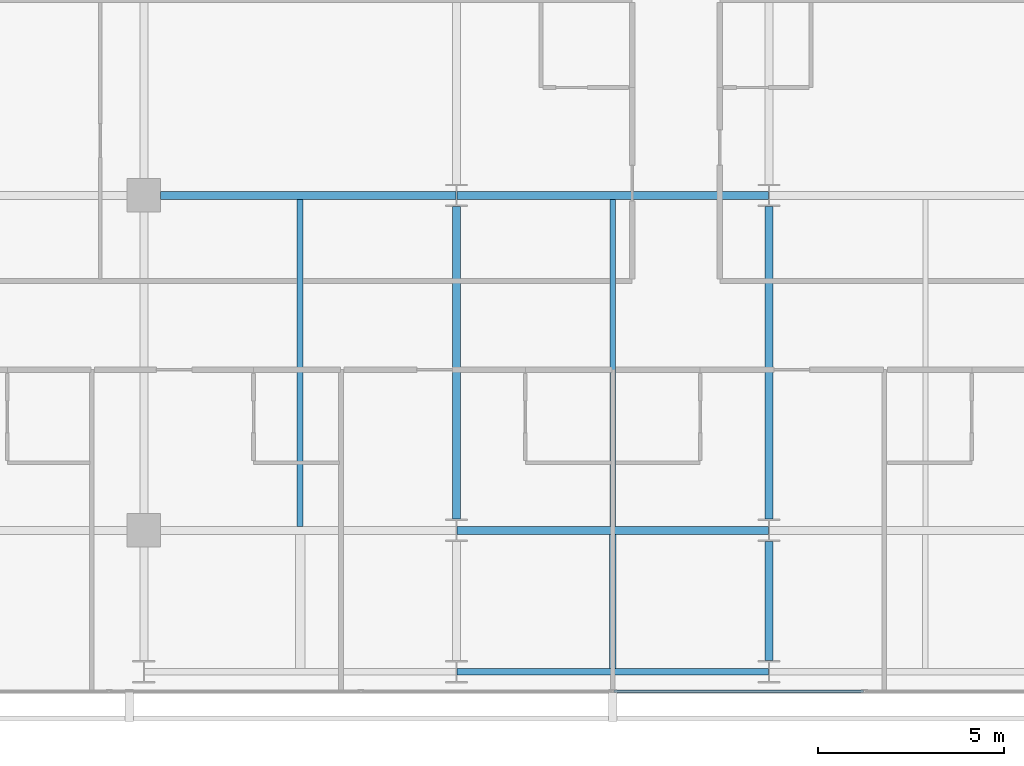
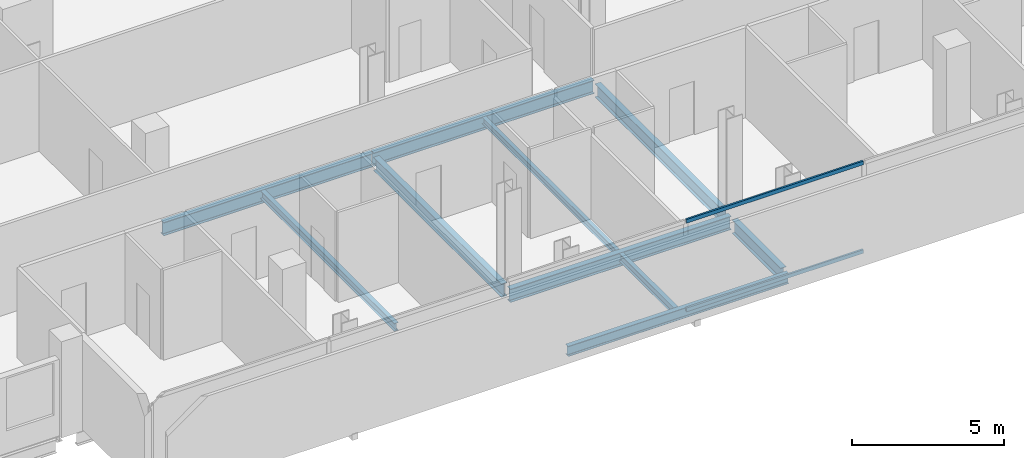
# One storey, part 7 of 33: 10 beams, 2 members, 1 element without a shape of its own.
"""IFC4 building model written with IfcOpenShell, lengths in metres."""

from ifc_helpers import new_model, si_unit, direction, frame, origin, origin_2d, place, context, subcontext, project, spatial, hollow_rectangle, i_section, extrude, material, layer, layer_set, material_profile, profile_set, type_object, element, aggregate, save


model = new_model("IFC4")

# Units and contexts
model_context = context("Model", 3, precision=1e-05, world=origin(), true_north=direction((0.0, 1.0)))
body_context = subcontext(model_context, "Body", "Model", "MODEL_VIEW")
ifc_project = project(units=[si_unit("LENGTHUNIT", "METRE"), si_unit("AREAUNIT", "SQUARE_METRE"), si_unit("VOLUMEUNIT", "CUBIC_METRE"), si_unit("PLANEANGLEUNIT", "RADIAN"), si_unit("MASSUNIT", "GRAM", prefix="KILO")], contexts=[model_context])

# Site, building, storey
site_placement = place(None, origin())
site = spatial("IfcSite", under=ifc_project, at=site_placement, CompositionType="ELEMENT")
building_placement = place(site_placement, origin())
building = spatial("IfcBuilding", under=site, at=building_placement, Name="Maruvema Waterfront Hotel and Observation Tower", CompositionType="ELEMENT")
storey_placement = place(building_placement, frame((0.0, 0.0, 196.699951171875)))
storey = spatial("IfcBuildingStorey", under=building, at=storey_placement, Name="L48", CompositionType="ELEMENT", Elevation=196.699951171875)

# Curtain wall, members
ifc_material_1 = material(Name="Anodised bronze aluminium and solar-control low-E IGU", Category="aluminium")
ifc_layer = layer(ifc_material_1, 0.159912109375, Name="Zone 2 Amber Inner Thermal Curtain Wall System CW-03")
ifc_layer_set = layer_set([ifc_layer], Name="Anodised bronze aluminium and solar-control low-E IGU")
curtain_wall_type = type_object("IfcCurtainWallType", Name="Zone 2 Amber Inner Thermal Curtain Wall System CW-03", PredefinedType="USERDEFINED", material=ifc_layer_set)
curtain_wall_placement = place(storey_placement, origin())
curtain_wall = element("IfcCurtainWall", 1, at=curtain_wall_placement, inside=storey, type_object=curtain_wall_type, Name="L48 Curtain Wall CW-L48-S", ObjectType="UNITISED CURTAIN WALL", PredefinedType="USERDEFINED")
ifc_material_2 = material(Name="Anodised architectural bronze aluminium", Category="aluminium")
ifc_material_profile_1 = material_profile(ifc_material_2, hollow_rectangle(XDim=0.070068359375, YDim=0.14990234375, WallThickness=0.00390625, at=origin_2d()), Name="ALU-T70x150")
ifc_profile_set_1 = profile_set([ifc_material_profile_1], Name="Anodised architectural bronze aluminium")
member_type = type_object("IfcMemberType", Name="Curtain Wall Horizontal Transom ALU-T70x150", PredefinedType="USERDEFINED", material=ifc_profile_set_1)
member_1_placement = place(storey_placement, frame((37.830078125, 4.679931640625, 0.030029296875), z_axis=(1.0, 0.0, 0.0), x_axis=(0.0, 1.0, 0.0)))
member_1 = element("IfcMember", 2, at=member_1_placement, type_object=member_type, Name="CW-03 transom 4.1", ObjectType="TRANSOM", PredefinedType="USERDEFINED", context=body_context, shape_type="SweptSolid", body=[
    extrude(hollow_rectangle(XDim=0.070068359375, YDim=0.14990234375, WallThickness=0.00390625, at=origin_2d()), origin(), (0.0, 0.0, 1.0), 6.70654296875),
])
member_2_placement = place(storey_placement, frame((37.830078125, 4.679931640625, 3.580078125), z_axis=(1.0, 0.0, 0.0), x_axis=(0.0, 1.0, 0.0)))
member_2 = element("IfcMember", 3, at=member_2_placement, type_object=member_type, Name="CW-03 transom 4.2", ObjectType="TRANSOM", PredefinedType="USERDEFINED", context=body_context, shape_type="SweptSolid", body=[
    extrude(hollow_rectangle(XDim=0.070068359375, YDim=0.14990234375, WallThickness=0.00390625, at=origin_2d()), origin(), (0.0, 0.0, 1.0), 6.70654296875),
])
aggregate(curtain_wall, [member_1, member_2])

# Beams
ifc_material_3 = material(Name="Steel ASTM A572 Grade 50", Category="steel")
ifc_material_profile_2 = material_profile(ifc_material_3, i_section(OverallWidth=0.178955078125, OverallDepth=0.409912109375, WebThickness=0.0087890625, FlangeThickness=0.014404296875, FilletRadius=0.014892578125, at=origin_2d()), Name="W410x67.0")
ifc_profile_set_2 = profile_set([ifc_material_profile_2], Name="Steel ASTM A572 Grade 50")
beam_type_1 = type_object("IfcBeamType", Name="Perimeter Spandrel Beam W410x67.0", PredefinedType="SPANDREL", material=ifc_profile_set_2)
beam_1_placement = place(storey_placement, frame((33.612548828125, 5.199951171875, -0.445068359375), z_axis=(1.0, 0.0, 0.0), x_axis=(0.0, 1.0, 0.0)))
element("IfcBeam", 4, at=beam_1_placement, inside=storey, type_object=beam_type_1, Name="L48 Floor Girder EW-02", PredefinedType="SPANDREL", context=body_context, shape_type="SweptSolid", body=[
    extrude(i_section(OverallWidth=0.178955078125, OverallDepth=0.409912109375, WebThickness=0.0087890625, FlangeThickness=0.014404296875, FilletRadius=0.014892578125, at=origin_2d()), origin(), (0.0, 0.0, 1.0), 8.375),
])
ifc_material_4 = material(Name="Steel ASTM A572 Grade 50", Category="steel")
ifc_material_profile_3 = material_profile(ifc_material_4, i_section(OverallWidth=0.2109375, OverallDepth=0.5390625, WebThickness=0.01171875, FlangeThickness=0.018798828125, FilletRadius=0.014892578125, at=origin_2d()), Name="W530x109.0")
ifc_profile_set_3 = profile_set([ifc_material_profile_3], Name="Steel ASTM A572 Grade 50")
beam_type_2 = type_object("IfcBeamType", Name="Primary Floor Girder W530x109.0", PredefinedType="BEAM", material=ifc_profile_set_3)
beam_2_placement = place(storey_placement, frame((33.612548828125, 9.0, -0.509521484375), z_axis=(1.0, 0.0, 0.0), x_axis=(0.0, 1.0, 0.0)))
element("IfcBeam", 5, at=beam_2_placement, inside=storey, type_object=beam_type_2, Name="L48 Floor Girder EW-07", PredefinedType="BEAM", context=body_context, shape_type="SweptSolid", body=[
    extrude(i_section(OverallWidth=0.2109375, OverallDepth=0.5390625, WebThickness=0.01171875, FlangeThickness=0.018798828125, FilletRadius=0.014892578125, at=origin_2d()), origin(), (0.0, 0.0, 1.0), 8.375),
])
beam_3_placement = place(storey_placement, frame((25.64990234375, 18.0, -0.509521484375), z_axis=(1.0, 0.0, 0.0), x_axis=(0.0, 1.0, 0.0)))
element("IfcBeam", 6, at=beam_3_placement, inside=storey, type_object=beam_type_2, Name="L48 Floor Girder EW-13", PredefinedType="BEAM", context=body_context, shape_type="SweptSolid", body=[
    extrude(i_section(OverallWidth=0.2109375, OverallDepth=0.5390625, WebThickness=0.01171875, FlangeThickness=0.018798828125, FilletRadius=0.014892578125, at=origin_2d()), origin(), (0.0, 0.0, 1.0), 7.9375),
])
beam_4_placement = place(storey_placement, frame((33.612548828125, 18.0, -0.509521484375), z_axis=(1.0, 0.0, 0.0), x_axis=(0.0, 1.0, 0.0)))
element("IfcBeam", 7, at=beam_4_placement, inside=storey, type_object=beam_type_2, Name="L48 Floor Girder EW-14", PredefinedType="BEAM", context=body_context, shape_type="SweptSolid", body=[
    extrude(i_section(OverallWidth=0.2109375, OverallDepth=0.5390625, WebThickness=0.01171875, FlangeThickness=0.018798828125, FilletRadius=0.014892578125, at=origin_2d()), origin(), (0.0, 0.0, 1.0), 8.375),
])
beam_5_placement = place(storey_placement, frame((33.60009765625, 9.300048828125, -0.509521484375), z_axis=(0.0, 1.0, 0.0), x_axis=(-1.0, 0.0, 0.0)))
element("IfcBeam", 8, at=beam_5_placement, inside=storey, type_object=beam_type_2, Name="L48 Floor Girder NS-15", PredefinedType="BEAM", context=body_context, shape_type="SweptSolid", body=[
    extrude(i_section(OverallWidth=0.2109375, OverallDepth=0.5390625, WebThickness=0.01171875, FlangeThickness=0.018798828125, FilletRadius=0.014892578125, at=origin_2d()), origin(), (0.0, 0.0, 1.0), 8.39990234375),
])
beam_6_placement = place(storey_placement, frame((42.0, 5.5, -0.509521484375), z_axis=(0.0, 1.0, 0.0), x_axis=(-1.0, 0.0, 0.0)))
element("IfcBeam", 9, at=beam_6_placement, inside=storey, type_object=beam_type_2, Name="L48 Floor Girder NS-17", PredefinedType="BEAM", context=body_context, shape_type="SweptSolid", body=[
    extrude(i_section(OverallWidth=0.2109375, OverallDepth=0.5390625, WebThickness=0.01171875, FlangeThickness=0.018798828125, FilletRadius=0.014892578125, at=origin_2d()), origin(), (0.0, 0.0, 1.0), 3.199951171875),
])
beam_7_placement = place(storey_placement, frame((42.0, 9.300048828125, -0.509521484375), z_axis=(0.0, 1.0, 0.0), x_axis=(-1.0, 0.0, 0.0)))
element("IfcBeam", 10, at=beam_7_placement, inside=storey, type_object=beam_type_2, Name="L48 Floor Girder NS-18", PredefinedType="BEAM", context=body_context, shape_type="SweptSolid", body=[
    extrude(i_section(OverallWidth=0.2109375, OverallDepth=0.5390625, WebThickness=0.01171875, FlangeThickness=0.018798828125, FilletRadius=0.014892578125, at=origin_2d()), origin(), (0.0, 0.0, 1.0), 8.39990234375),
])
ifc_material_5 = material(Name="Steel ASTM A572 Grade 50", Category="steel")
ifc_material_profile_4 = material_profile(ifc_material_5, i_section(OverallWidth=0.14794921875, OverallDepth=0.26611328125, WebThickness=0.007568359375, FlangeThickness=0.012939453125, FilletRadius=0.012939453125, at=origin_2d()), Name="W250x44.8")
ifc_profile_set_4 = profile_set([ifc_material_profile_4], Name="Steel ASTM A572 Grade 50")
beam_type_3 = type_object("IfcBeamType", Name="Secondary Floor Joist W250x44.8", PredefinedType="JOIST", material=ifc_profile_set_4)
beam_8_placement = place(storey_placement, frame((37.800048828125, 9.10546875, -0.373046875), z_axis=(0.0, 1.0, 0.0), x_axis=(-1.0, 0.0, 0.0)))
element("IfcBeam", 11, at=beam_8_placement, inside=storey, type_object=beam_type_3, Name="L48 Secondary Floor Joist JS-08", PredefinedType="JOIST", context=body_context, shape_type="SweptSolid", body=[
    extrude(i_section(OverallWidth=0.14794921875, OverallDepth=0.26611328125, WebThickness=0.007568359375, FlangeThickness=0.012939453125, FilletRadius=0.012939453125, at=origin_2d()), origin(), (0.0, 0.0, 1.0), 8.7890625),
])
ifc_material_6 = material(Name="Steel ASTM A572 Grade 50", Category="steel")
ifc_material_profile_5 = material_profile(ifc_material_6, i_section(OverallWidth=0.1650390625, OverallDepth=0.31005859375, WebThickness=0.005859375, FlangeThickness=0.009765625, FilletRadius=0.012939453125, at=origin_2d()), Name="W310x38.7")
ifc_profile_set_5 = profile_set([ifc_material_profile_5], Name="Steel ASTM A572 Grade 50")
beam_type_4 = type_object("IfcBeamType", Name="Secondary Floor Joist W310x38.7", PredefinedType="JOIST", material=ifc_profile_set_5)
beam_9_placement = place(storey_placement, frame((37.800048828125, 5.28955078125, -0.39501953125), z_axis=(0.0, 1.0, 0.0), x_axis=(-1.0, 0.0, 0.0)))
element("IfcBeam", 12, at=beam_9_placement, inside=storey, type_object=beam_type_4, Name="L48 Secondary Floor Joist JS-07", PredefinedType="JOIST", context=body_context, shape_type="SweptSolid", body=[
    extrude(i_section(OverallWidth=0.1650390625, OverallDepth=0.31005859375, WebThickness=0.005859375, FlangeThickness=0.009765625, FilletRadius=0.012939453125, at=origin_2d()), origin(), (0.0, 0.0, 1.0), 3.60498046875),
])
ifc_material_7 = material(Name="Steel ASTM A572 Grade 50", Category="steel")
ifc_material_profile_6 = material_profile(ifc_material_7, i_section(OverallWidth=0.1669921875, OverallDepth=0.31689453125, WebThickness=0.007568359375, FlangeThickness=0.01318359375, FilletRadius=0.012939453125, at=origin_2d()), Name="W310x52.0")
ifc_profile_set_6 = profile_set([ifc_material_profile_6], Name="Steel ASTM A572 Grade 50")
beam_type_5 = type_object("IfcBeamType", Name="Secondary Floor Joist W310x52.0", PredefinedType="JOIST", material=ifc_profile_set_6)
beam_10_placement = place(storey_placement, frame((29.39990234375, 9.10546875, -0.3984375), z_axis=(0.0, 1.0, 0.0), x_axis=(-1.0, 0.0, 0.0)))
element("IfcBeam", 13, at=beam_10_placement, inside=storey, type_object=beam_type_5, Name="L48 Secondary Floor Joist JS-06", PredefinedType="JOIST", context=body_context, shape_type="SweptSolid", body=[
    extrude(i_section(OverallWidth=0.1669921875, OverallDepth=0.31689453125, WebThickness=0.007568359375, FlangeThickness=0.01318359375, FilletRadius=0.012939453125, at=origin_2d()), origin(), (0.0, 0.0, 1.0), 8.7890625),
])

save(model, "model.ifc")
